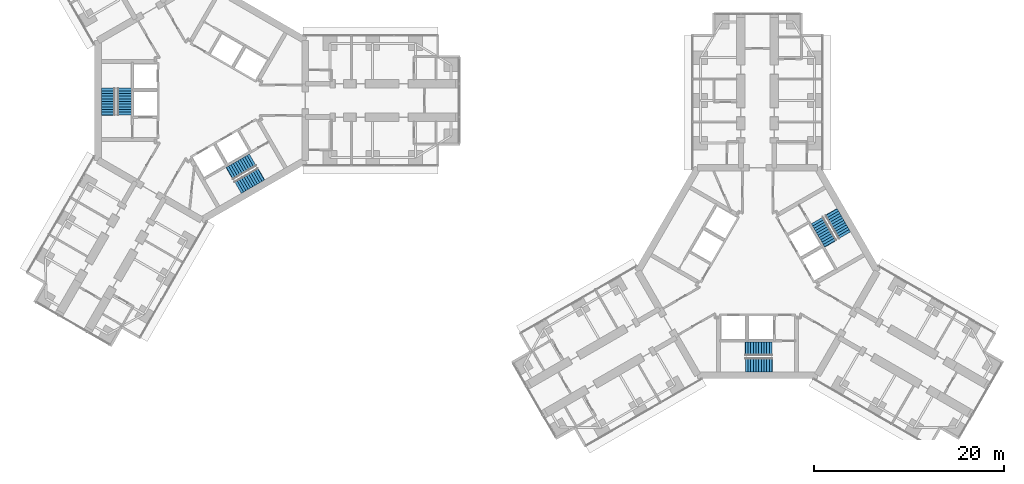
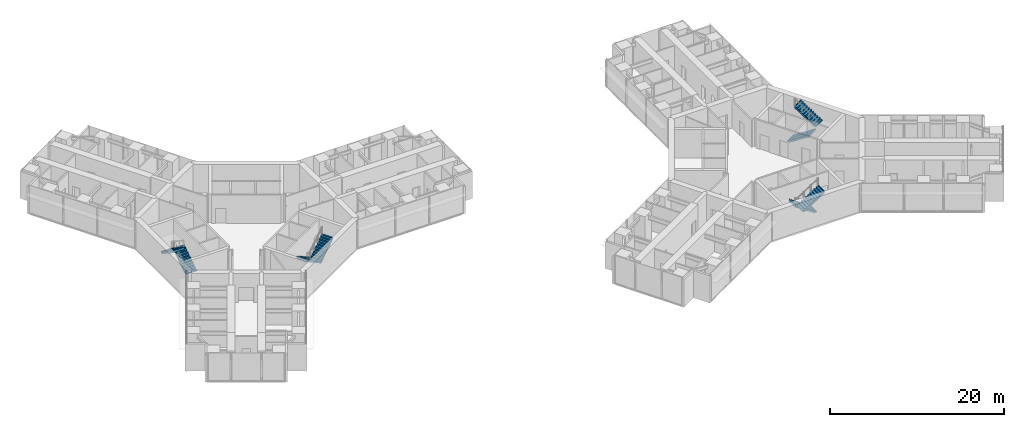
# One storey, part 23 of 24: 8 stair flights, 4 elements without a shape of their own.
"""IFC4 building model written with IfcOpenShell, lengths in metres."""

from ifc_helpers import new_model, si_unit, direction, frame, origin, place, context, subcontext, project, spatial, polyline, outline, extrude, material, type_object, element, aggregate, save


model = new_model("IFC4")

# Units and contexts
model_context = context("Model", 3, precision=1e-05, world=origin(), true_north=direction((0.0, 1.0)))
body_context = subcontext(model_context, "Body", "Model", "MODEL_VIEW")
ifc_project = project(units=[si_unit("LENGTHUNIT", "METRE"), si_unit("AREAUNIT", "SQUARE_METRE"), si_unit("VOLUMEUNIT", "CUBIC_METRE"), si_unit("PLANEANGLEUNIT", "RADIAN"), si_unit("MASSUNIT", "GRAM", prefix="KILO")], contexts=[model_context])

# Site, building, storey
site_placement = place(None, origin())
site = spatial("IfcSite", under=ifc_project, at=site_placement, CompositionType="ELEMENT")
building_placement = place(site_placement, origin())
building = spatial("IfcBuilding", under=site, at=building_placement, Name="Upepo Twin Towers", CompositionType="ELEMENT")
storey_placement = place(building_placement, frame((0.0, 0.0, 48.5)))
storey = spatial("IfcBuildingStorey", under=building, at=storey_placement, Name="L11", CompositionType="ELEMENT", Elevation=48.5)

# Stair, stair flights
ifc_material_1 = material(Name="Concrete C40/50", Category="concrete")
stair_type = type_object("IfcStairType", Name="Core stair, two flights", PredefinedType="HALF_TURN_STAIR", material=ifc_material_1)
stair_1_placement = place(storey_placement, origin())
stair_1 = element("IfcStair", 1, at=stair_1_placement, inside=storey, type_object=stair_type, Name="T1 stair S1 L11", PredefinedType="HALF_TURN_STAIR")
ifc_material_2 = material(Name="Concrete C40/50", Category="concrete")
stair_flight_type = type_object("IfcStairFlightType", Name="Stair flight 1450 RC", PredefinedType="STRAIGHT", material=ifc_material_2)
stair_flight_1_placement = place(storey_placement, frame((-8.125, -1.52001953125, 0.0), z_axis=(0.0, 0.0, 1.0), x_axis=(0.0, 1.0, 0.0)))
stair_flight_1 = element("IfcStairFlight", 2, at=stair_flight_1_placement, type_object=stair_flight_type, Name="Stair S1 flight 1", NumberOfRisers=11, NumberOfTreads=10, PredefinedType="STRAIGHT", RiserHeight=0.181818182, TreadLength=0.28, context=body_context, shape_type="SweptSolid", body=[
    extrude(outline(polyline([(0.0, 0.0), (0.0, 0.181884765625), (0.280029296875, 0.181884765625), (0.280029296875, 0.363525390625), (0.56005859375, 0.363525390625), (0.56005859375, 0.54541015625), (0.840087890625, 0.54541015625), (0.840087890625, 0.727294921875), (1.1201171875, 0.727294921875), (1.1201171875, 0.9091796875), (1.39990234375, 0.9091796875), (1.39990234375, 1.0908203125), (1.679931640625, 1.0908203125), (1.679931640625, 1.272705078125), (1.9599609375, 1.272705078125), (1.9599609375, 1.45458984375), (2.239990234375, 1.45458984375), (2.239990234375, 1.636474609375), (2.52001953125, 1.636474609375), (2.52001953125, 1.818115234375), (2.800048828125, 1.818115234375), (2.800048828125, 2.0), (2.85009765625, 2.0), (2.85009765625, 1.639404296875), (0.3251953125, 0.0), (0.0, 0.0)])), frame((0.0, 0.72509765625, 0.0), z_axis=(0.0, -1.0, 0.0), x_axis=(1.0, 0.0, 0.0)), (0.0, 0.0, 1.0), 1.449951171875),
])
stair_flight_2_placement = place(storey_placement, frame((-9.833251953125, 1.280029296875, 2.0), z_axis=(0.0, 0.0, 1.0), x_axis=(0.0, -1.0, 0.0)))
stair_flight_2 = element("IfcStairFlight", 3, at=stair_flight_2_placement, type_object=stair_flight_type, Name="Stair S1 flight 2", NumberOfRisers=11, NumberOfTreads=10, PredefinedType="STRAIGHT", RiserHeight=0.181818182, TreadLength=0.28, context=body_context, shape_type="SweptSolid", body=[
    extrude(outline(polyline([(0.0, 0.0), (0.0, 0.181884765625), (0.280029296875, 0.181884765625), (0.280029296875, 0.363525390625), (0.56005859375, 0.363525390625), (0.56005859375, 0.54541015625), (0.840087890625, 0.54541015625), (0.840087890625, 0.727294921875), (1.1201171875, 0.727294921875), (1.1201171875, 0.9091796875), (1.39990234375, 0.9091796875), (1.39990234375, 1.0908203125), (1.679931640625, 1.0908203125), (1.679931640625, 1.272705078125), (1.9599609375, 1.272705078125), (1.9599609375, 1.45458984375), (2.239990234375, 1.45458984375), (2.239990234375, 1.636474609375), (2.52001953125, 1.636474609375), (2.52001953125, 1.818115234375), (2.800048828125, 1.818115234375), (2.800048828125, 2.0), (2.85009765625, 2.0), (2.85009765625, 1.639404296875), (0.3251953125, 0.0), (0.0, 0.0)])), frame((0.0, 0.72509765625, 0.0), z_axis=(0.0, -1.0, 0.0), x_axis=(1.0, 0.0, 0.0)), (0.0, 0.0, 1.0), 1.449951171875),
])
aggregate(stair_1, [stair_flight_1, stair_flight_2])

stair_2_placement = place(storey_placement, origin())
stair_2 = element("IfcStair", 4, at=stair_2_placement, inside=storey, type_object=stair_type, Name="T1 stair S2 L11", PredefinedType="HALF_TURN_STAIR")
stair_flight_3_placement = place(storey_placement, frame((5.37890625, -6.2763671875, 0.0), z_axis=(0.0, 0.0, 1.0), x_axis=(-0.866025403784, -0.5, 0.0)))
stair_flight_3 = element("IfcStairFlight", 5, at=stair_flight_3_placement, type_object=stair_flight_type, Name="Stair S2 flight 1", NumberOfRisers=11, NumberOfTreads=10, PredefinedType="STRAIGHT", RiserHeight=0.181818182, TreadLength=0.28, context=body_context, shape_type="SweptSolid", body=[
    extrude(outline(polyline([(0.0, 0.0), (0.0, 0.181884765625), (0.280029296875, 0.181884765625), (0.280029296875, 0.363525390625), (0.56005859375, 0.363525390625), (0.56005859375, 0.54541015625), (0.840087890625, 0.54541015625), (0.840087890625, 0.727294921875), (1.1201171875, 0.727294921875), (1.1201171875, 0.9091796875), (1.39990234375, 0.9091796875), (1.39990234375, 1.0908203125), (1.679931640625, 1.0908203125), (1.679931640625, 1.272705078125), (1.9599609375, 1.272705078125), (1.9599609375, 1.45458984375), (2.239990234375, 1.45458984375), (2.239990234375, 1.636474609375), (2.52001953125, 1.636474609375), (2.52001953125, 1.818115234375), (2.800048828125, 1.818115234375), (2.800048828125, 2.0), (2.85009765625, 2.0), (2.85009765625, 1.639404296875), (0.3251953125, 0.0), (0.0, 0.0)])), frame((0.0, 0.72509765625, 0.0), z_axis=(0.0, -1.0, 0.0), x_axis=(1.0, 0.0, 0.0)), (0.0, 0.0, 1.0), 1.449951171875),
])
stair_flight_4_placement = place(storey_placement, frame((3.80810546875, -9.156005859375, 2.0), z_axis=(0.0, 0.0, 1.0), x_axis=(0.866025403784, 0.5, 0.0)))
stair_flight_4 = element("IfcStairFlight", 6, at=stair_flight_4_placement, type_object=stair_flight_type, Name="Stair S2 flight 2", NumberOfRisers=11, NumberOfTreads=10, PredefinedType="STRAIGHT", RiserHeight=0.181818182, TreadLength=0.28, context=body_context, shape_type="SweptSolid", body=[
    extrude(outline(polyline([(0.0, 0.0), (0.0, 0.181884765625), (0.280029296875, 0.181884765625), (0.280029296875, 0.363525390625), (0.56005859375, 0.363525390625), (0.56005859375, 0.54541015625), (0.840087890625, 0.54541015625), (0.840087890625, 0.727294921875), (1.1201171875, 0.727294921875), (1.1201171875, 0.9091796875), (1.39990234375, 0.9091796875), (1.39990234375, 1.0908203125), (1.679931640625, 1.0908203125), (1.679931640625, 1.272705078125), (1.9599609375, 1.272705078125), (1.9599609375, 1.45458984375), (2.239990234375, 1.45458984375), (2.239990234375, 1.636474609375), (2.52001953125, 1.636474609375), (2.52001953125, 1.818115234375), (2.800048828125, 1.818115234375), (2.800048828125, 2.0), (2.85009765625, 2.0), (2.85009765625, 1.639404296875), (0.3251953125, 0.0), (0.0, 0.0)])), frame((0.0, 0.72509765625, 0.0), z_axis=(0.0, -1.0, 0.0), x_axis=(1.0, 0.0, 0.0)), (0.0, 0.0, 1.0), 1.449951171875),
])
aggregate(stair_2, [stair_flight_3, stair_flight_4])

stair_3_placement = place(storey_placement, origin())
stair_3 = element("IfcStair", 7, at=stair_3_placement, inside=storey, type_object=stair_type, Name="T2 stair S1 L11", PredefinedType="HALF_TURN_STAIR")
stair_flight_5_placement = place(storey_placement, frame((60.02001953125, -26.125, 0.0), z_axis=(0.0, 0.0, 1.0), x_axis=(-1.0, 0.0, 0.0)))
stair_flight_5 = element("IfcStairFlight", 8, at=stair_flight_5_placement, type_object=stair_flight_type, Name="Stair S1 flight 1", NumberOfRisers=11, NumberOfTreads=10, PredefinedType="STRAIGHT", RiserHeight=0.181818182, TreadLength=0.28, context=body_context, shape_type="SweptSolid", body=[
    extrude(outline(polyline([(0.0, 0.0), (0.0, 0.181884765625), (0.280029296875, 0.181884765625), (0.280029296875, 0.363525390625), (0.56005859375, 0.363525390625), (0.56005859375, 0.54541015625), (0.840087890625, 0.54541015625), (0.840087890625, 0.727294921875), (1.1201171875, 0.727294921875), (1.1201171875, 0.9091796875), (1.39990234375, 0.9091796875), (1.39990234375, 1.0908203125), (1.679931640625, 1.0908203125), (1.679931640625, 1.272705078125), (1.9599609375, 1.272705078125), (1.9599609375, 1.45458984375), (2.239990234375, 1.45458984375), (2.239990234375, 1.636474609375), (2.52001953125, 1.636474609375), (2.52001953125, 1.818115234375), (2.800048828125, 1.818115234375), (2.800048828125, 2.0), (2.85009765625, 2.0), (2.85009765625, 1.639404296875), (0.3251953125, 0.0), (0.0, 0.0)])), frame((0.0, 0.72509765625, 0.0), z_axis=(0.0, -1.0, 0.0), x_axis=(1.0, 0.0, 0.0)), (0.0, 0.0, 1.0), 1.449951171875),
])
stair_flight_6_placement = place(storey_placement, frame((57.219970703125, -27.833251953125, 2.0), z_axis=(0.0, 0.0, 1.0), x_axis=(1.0, 0.0, 0.0)))
stair_flight_6 = element("IfcStairFlight", 9, at=stair_flight_6_placement, type_object=stair_flight_type, Name="Stair S1 flight 2", NumberOfRisers=11, NumberOfTreads=10, PredefinedType="STRAIGHT", RiserHeight=0.181818182, TreadLength=0.28, context=body_context, shape_type="SweptSolid", body=[
    extrude(outline(polyline([(0.0, 0.0), (0.0, 0.181884765625), (0.280029296875, 0.181884765625), (0.280029296875, 0.363525390625), (0.56005859375, 0.363525390625), (0.56005859375, 0.54541015625), (0.840087890625, 0.54541015625), (0.840087890625, 0.727294921875), (1.1201171875, 0.727294921875), (1.1201171875, 0.9091796875), (1.39990234375, 0.9091796875), (1.39990234375, 1.0908203125), (1.679931640625, 1.0908203125), (1.679931640625, 1.272705078125), (1.9599609375, 1.272705078125), (1.9599609375, 1.45458984375), (2.239990234375, 1.45458984375), (2.239990234375, 1.636474609375), (2.52001953125, 1.636474609375), (2.52001953125, 1.818115234375), (2.800048828125, 1.818115234375), (2.800048828125, 2.0), (2.85009765625, 2.0), (2.85009765625, 1.639404296875), (0.3251953125, 0.0), (0.0, 0.0)])), frame((0.0, 0.72509765625, 0.0), z_axis=(0.0, -1.0, 0.0), x_axis=(1.0, 0.0, 0.0)), (0.0, 0.0, 1.0), 1.449951171875),
])
aggregate(stair_3, [stair_flight_5, stair_flight_6])

stair_4_placement = place(storey_placement, origin())
stair_4 = element("IfcStair", 10, at=stair_4_placement, inside=storey, type_object=stair_type, Name="T2 stair S2 L11", PredefinedType="HALF_TURN_STAIR")
stair_flight_7_placement = place(storey_placement, frame((64.7763671875, -12.62109375, 0.0), z_axis=(0.0, 0.0, 1.0), x_axis=(0.5, -0.866025403784, 0.0)))
stair_flight_7 = element("IfcStairFlight", 11, at=stair_flight_7_placement, type_object=stair_flight_type, Name="Stair S2 flight 1", NumberOfRisers=11, NumberOfTreads=10, PredefinedType="STRAIGHT", RiserHeight=0.181818182, TreadLength=0.28, context=body_context, shape_type="SweptSolid", body=[
    extrude(outline(polyline([(0.0, 0.0), (0.0, 0.181884765625), (0.280029296875, 0.181884765625), (0.280029296875, 0.363525390625), (0.56005859375, 0.363525390625), (0.56005859375, 0.54541015625), (0.840087890625, 0.54541015625), (0.840087890625, 0.727294921875), (1.1201171875, 0.727294921875), (1.1201171875, 0.9091796875), (1.39990234375, 0.9091796875), (1.39990234375, 1.0908203125), (1.679931640625, 1.0908203125), (1.679931640625, 1.272705078125), (1.9599609375, 1.272705078125), (1.9599609375, 1.45458984375), (2.239990234375, 1.45458984375), (2.239990234375, 1.636474609375), (2.52001953125, 1.636474609375), (2.52001953125, 1.818115234375), (2.800048828125, 1.818115234375), (2.800048828125, 2.0), (2.85009765625, 2.0), (2.85009765625, 1.639404296875), (0.3251953125, 0.0), (0.0, 0.0)])), frame((0.0, 0.72509765625, 0.0), z_axis=(0.0, -1.0, 0.0), x_axis=(1.0, 0.0, 0.0)), (0.0, 0.0, 1.0), 1.449951171875),
])
stair_flight_8_placement = place(storey_placement, frame((67.656005859375, -14.19189453125, 2.0), z_axis=(0.0, 0.0, 1.0), x_axis=(-0.5, 0.866025403784, 0.0)))
stair_flight_8 = element("IfcStairFlight", 12, at=stair_flight_8_placement, type_object=stair_flight_type, Name="Stair S2 flight 2", NumberOfRisers=11, NumberOfTreads=10, PredefinedType="STRAIGHT", RiserHeight=0.181818182, TreadLength=0.28, context=body_context, shape_type="SweptSolid", body=[
    extrude(outline(polyline([(0.0, 0.0), (0.0, 0.181884765625), (0.280029296875, 0.181884765625), (0.280029296875, 0.363525390625), (0.56005859375, 0.363525390625), (0.56005859375, 0.54541015625), (0.840087890625, 0.54541015625), (0.840087890625, 0.727294921875), (1.1201171875, 0.727294921875), (1.1201171875, 0.9091796875), (1.39990234375, 0.9091796875), (1.39990234375, 1.0908203125), (1.679931640625, 1.0908203125), (1.679931640625, 1.272705078125), (1.9599609375, 1.272705078125), (1.9599609375, 1.45458984375), (2.239990234375, 1.45458984375), (2.239990234375, 1.636474609375), (2.52001953125, 1.636474609375), (2.52001953125, 1.818115234375), (2.800048828125, 1.818115234375), (2.800048828125, 2.0), (2.85009765625, 2.0), (2.85009765625, 1.639404296875), (0.3251953125, 0.0), (0.0, 0.0)])), frame((0.0, 0.72509765625, 0.0), z_axis=(0.0, -1.0, 0.0), x_axis=(1.0, 0.0, 0.0)), (0.0, 0.0, 1.0), 1.449951171875),
])
aggregate(stair_4, [stair_flight_7, stair_flight_8])

save(model, "model.ifc")
